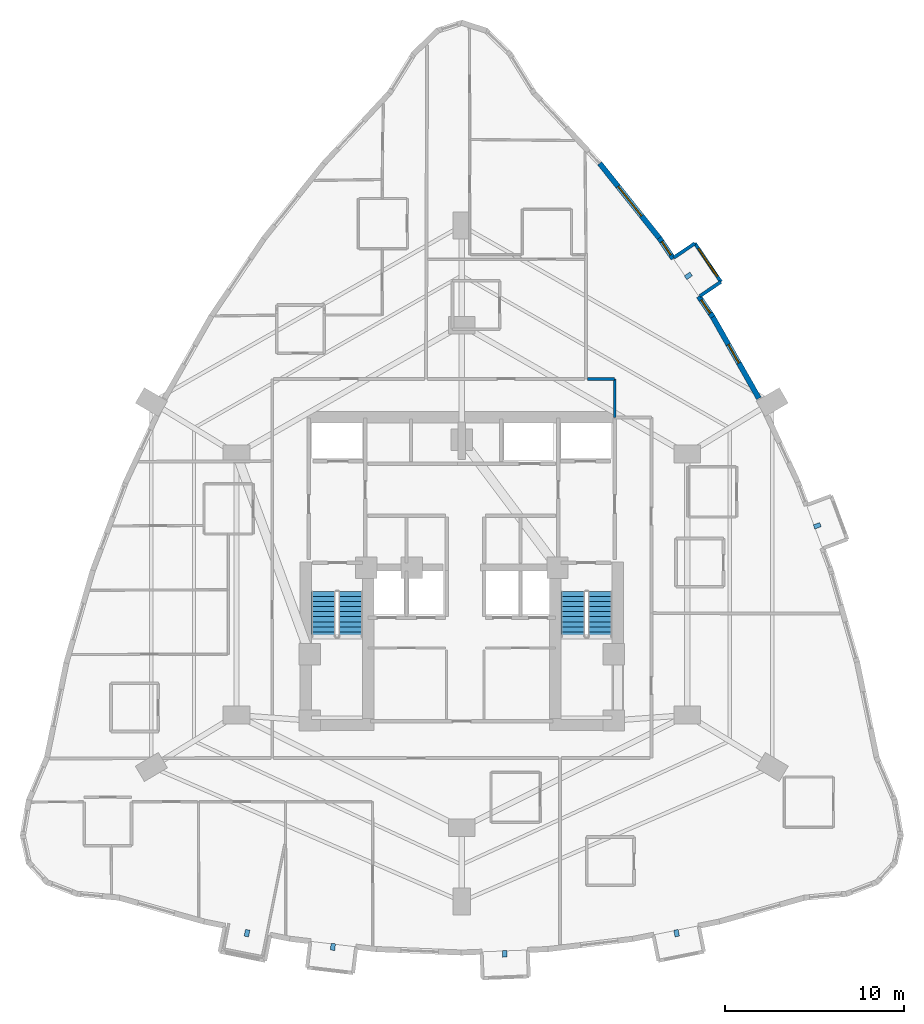
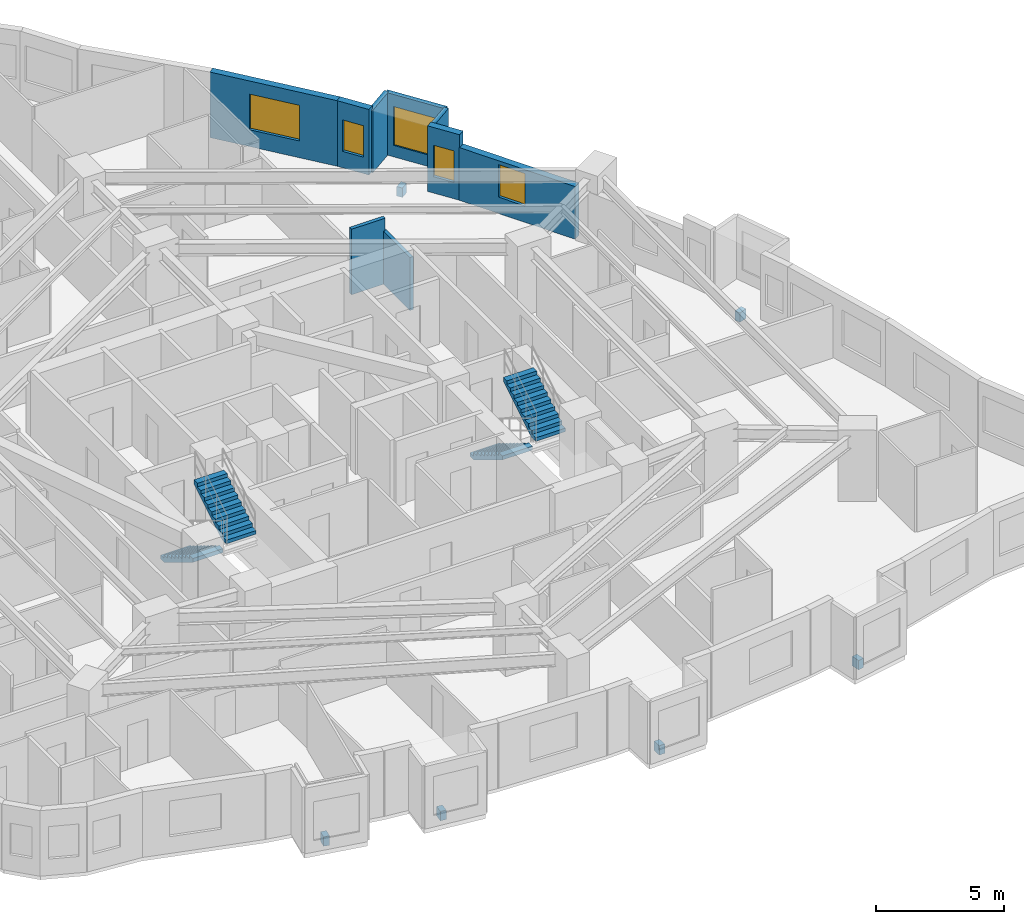
# One storey, part 11 of 12: 9 walls, 6 discrete accessories, 5 windows, 4 stair flights, 5 openings, 2 elements without a shape of their own.
"""IFC4 building model written with IfcOpenShell, lengths in metres."""

from ifc_helpers import new_model, si_unit, direction, frame, frame_2d, origin, origin_2d, place, context, subcontext, project, spatial, polyline, rectangle, outline, extrude, material, layer, layer_set, type_object, element, fill, aggregate, save


model = new_model("IFC4")

# Units and contexts
model_context = context("Model", 3, precision=1e-05, world=origin(), true_north=direction((0.0, 1.0)))
body_context = subcontext(model_context, "Body", "Model", "MODEL_VIEW")
ifc_project = project(units=[si_unit("LENGTHUNIT", "METRE"), si_unit("AREAUNIT", "SQUARE_METRE"), si_unit("VOLUMEUNIT", "CUBIC_METRE"), si_unit("PLANEANGLEUNIT", "RADIAN"), si_unit("MASSUNIT", "GRAM", prefix="KILO")], contexts=[model_context])

# Site, building, storey
site_placement = place(None, origin())
site = spatial("IfcSite", under=ifc_project, at=site_placement, CompositionType="ELEMENT")
building_placement = place(site_placement, origin())
building = spatial("IfcBuilding", under=site, at=building_placement, Name="Miruveldt Soraemaru", CompositionType="ELEMENT")
storey_placement = place(building_placement, frame((0.0, 0.0, 56.39990234375)))
storey = spatial("IfcBuildingStorey", under=building, at=storey_placement, Name="L15", CompositionType="ELEMENT", Elevation=56.39990234375)

# Walls
ifc_material_1 = material(Name="White powder-coated aluminium EN AW-6060 T6", Category="aluminium")
ifc_layer_1 = layer(ifc_material_1, 0.18994140625, Name="White powder-coated aluminium EN AW-6060 T6", Category="aluminium")
ifc_layer_set_1 = layer_set([ifc_layer_1], Name="White powder-coated aluminium EN AW-6060 T6")
wall_type_1 = type_object("IfcWallType", Name="WALL-BAY-ALU190", PredefinedType="SOLIDWALL", material=ifc_layer_set_1)
wall_1_placement = place(storey_placement, frame((57.309814453125, 59.225341796875, 0.0), z_axis=(0.0, 0.0, 1.0), x_axis=(0.82794178844, 0.560814046681, 0.0)))
element("IfcWall", 1, at=wall_1_placement, inside=storey, type_object=wall_type_1, Name="L15 Bay Window Side Cheek 5L", PredefinedType="SOLIDWALL", context=body_context, shape_type="SweptSolid", body=[
    extrude(rectangle(XDim=1.4248046875, YDim=0.18994140625, at=frame_2d((0.71240234375, 0.0))), origin(), (0.0, 0.0, 1.0), 2.97509765625),
])
wall_2_placement = place(storey_placement, frame((57.03125, 62.17724609375, 0.0), z_axis=(0.0, 0.0, 1.0), x_axis=(-0.827862228344, -0.560931485016, 0.0)))
element("IfcWall", 2, at=wall_2_placement, inside=storey, type_object=wall_type_1, Name="L15 Bay Window Side Cheek 5R", PredefinedType="SOLIDWALL", context=body_context, shape_type="SweptSolid", body=[
    extrude(rectangle(XDim=1.425048828125, YDim=0.18994140625, at=frame_2d((0.71240234375, 0.0))), origin(), (0.0, 0.0, 1.0), 2.97509765625),
])

# Wall, opening, window
wall_3_placement = place(storey_placement, frame((58.489501953125, 60.0244140625, 0.0), z_axis=(0.0, 0.0, 1.0), x_axis=(-0.560817003698, 0.827939785469, 0.0)))
wall_3 = element("IfcWall", 3, at=wall_3_placement, inside=storey, type_object=wall_type_1, Name="L15 Bay Window Front Frame 5", PredefinedType="SOLIDWALL", context=body_context, shape_type="SweptSolid", body=[
    extrude(rectangle(XDim=2.600341796875, YDim=0.18994140625, at=frame_2d((1.30029296875, 0.0))), origin(), (0.0, 0.0, 1.0), 2.97509765625),
])
opening_1_placement = place(wall_3_placement, frame((0.35009765625, 0.0, 0.550048828125)))
opening_1 = element("IfcOpeningElement", 4, at=opening_1_placement, cuts=wall_3, Name="Opening WN-6", PredefinedType="OPENING", context=body_context, shape_type="SweptSolid", body=[
    extrude(rectangle(XDim=1.89990234375, YDim=1.85009765625, at=frame_2d((0.949951171875, 0.925048828125))), frame((0.0, 0.10498046875, 0.0), z_axis=(0.0, -1.0, 0.0), x_axis=(1.0, 0.0, 0.0)), (0.0, 0.0, 1.0), 0.2099609375),
])
ifc_material_2 = material(Name="Triple low-e insulated glazing", Category="glass")
window_type_1 = type_object("IfcWindowType", Name="WIN-BAYW-1900x1850", PartitioningType="SINGLE_PANEL", PredefinedType="WINDOW", material=ifc_material_2)
window_1_placement = place(opening_1_placement, origin())
window_1 = element("IfcWindow", 5, at=window_1_placement, inside=storey, type_object=window_type_1, Name="L15 Projecting Bay Window 5", OverallHeight=1.85009765625, OverallWidth=1.89990234375, PartitioningType="SINGLE_PANEL", PredefinedType="WINDOW", context=body_context, shape_type="SweptSolid", body=[
    extrude(rectangle(XDim=1.89990234375, YDim=1.85009765625, at=frame_2d((0.949951171875, 0.925048828125))), frame((0.0, 0.030029296875, 0.0), z_axis=(0.0, -1.0, 0.0), x_axis=(1.0, 0.0, 0.0)), (0.0, 0.0, 1.0), 0.06005859375),
])
fill(opening_1, window_1)

ifc_material_3 = material(Name="Precast concrete C45/55 (45 MPa)", Category="concrete")
ifc_layer_2 = layer(ifc_material_3, 0.300048828125, Name="Precast concrete C45/55 (45 MPa)", Category="concrete")
ifc_layer_set_2 = layer_set([ifc_layer_2], Name="Precast concrete C45/55 (45 MPa)")
wall_type_2 = type_object("IfcWallType", Name="WALL-EXT-PC300", PredefinedType="SOLIDWALL", material=ifc_layer_set_2)
wall_4_placement = place(storey_placement, frame((60.610595703125, 53.50927734375, 0.0), z_axis=(0.0, 0.0, 1.0), x_axis=(-0.493399379413, 0.869802881344, 0.0)))
wall_4 = element("IfcWall", 6, at=wall_4_placement, inside=storey, type_object=wall_type_2, Name="L15 Precast Concrete Facade Wall 39", PredefinedType="SOLIDWALL", context=body_context, shape_type="SweptSolid", body=[
    extrude(rectangle(XDim=5.302490234375, YDim=0.300048828125, at=frame_2d((2.6513671875, 0.0))), origin(), (0.0, 0.0, 1.0), 2.51318359375),
])
opening_2_placement = place(wall_4_placement, frame((2.260986328125, 0.0, 0.780029296875)))
opening_2 = element("IfcOpeningElement", 7, at=opening_2_placement, cuts=wall_4, Name="Opening WN-4", PredefinedType="OPENING", context=body_context, shape_type="SweptSolid", body=[
    extrude(rectangle(XDim=1.199951171875, YDim=1.550048828125, at=frame_2d((0.60009765625, 0.77490234375))), frame((0.0, 0.16015625, 0.0), z_axis=(0.0, -1.0, 0.0), x_axis=(1.0, 0.0, 0.0)), (0.0, 0.0, 1.0), 0.320068359375),
])
window_type_2 = type_object("IfcWindowType", Name="WIN-PUNCH-1200x1550", PartitioningType="SINGLE_PANEL", PredefinedType="WINDOW", material=ifc_material_2)
window_2_placement = place(opening_2_placement, origin())
window_2 = element("IfcWindow", 8, at=window_2_placement, inside=storey, type_object=window_type_2, Name="L15 Punched Triple-Glazed Window 39.1", OverallHeight=1.550048828125, OverallWidth=1.199951171875, PartitioningType="SINGLE_PANEL", PredefinedType="WINDOW", context=body_context, shape_type="SweptSolid", body=[
    extrude(rectangle(XDim=1.199951171875, YDim=1.550048828125, at=frame_2d((0.60009765625, 0.77490234375))), frame((0.0, 0.030029296875, 0.0), z_axis=(0.0, -1.0, 0.0), x_axis=(1.0, 0.0, 0.0)), (0.0, 0.0, 1.0), 0.06005859375),
])
fill(opening_2, window_2)

wall_5_placement = place(storey_placement, frame((58.03125, 58.06201171875, 0.0), z_axis=(0.0, 0.0, 1.0), x_axis=(-0.560852007247, 0.827916074229, 0.0)))
wall_5 = element("IfcWall", 9, at=wall_5_placement, inside=storey, type_object=wall_type_2, Name="L15 Precast Pier Wall 40A", PredefinedType="SOLIDWALL", context=body_context, shape_type="SweptSolid", body=[
    extrude(rectangle(XDim=1.397705078125, YDim=0.300048828125, at=frame_2d((0.69873046875, 0.0))), origin(), (0.0, 0.0, 1.0), 3.125),
])
opening_3_placement = place(wall_5_placement, frame((0.2490234375, 0.0, 0.780029296875)))
opening_3 = element("IfcOpeningElement", 10, at=opening_3_placement, cuts=wall_5, Name="Opening WN-7", PredefinedType="OPENING", context=body_context, shape_type="SweptSolid", body=[
    extrude(rectangle(XDim=0.89990234375, YDim=1.5, at=frame_2d((0.449951171875, 0.75))), frame((0.0, 0.16015625, 0.0), z_axis=(0.0, -1.0, 0.0), x_axis=(1.0, 0.0, 0.0)), (0.0, 0.0, 1.0), 0.320068359375),
])
window_type_3 = type_object("IfcWindowType", Name="WIN-PUNCH-900x1500", PartitioningType="SINGLE_PANEL", PredefinedType="WINDOW", material=ifc_material_2)
window_3_placement = place(opening_3_placement, origin())
window_3 = element("IfcWindow", 11, at=window_3_placement, inside=storey, type_object=window_type_3, Name="L15 Punched Triple-Glazed Window 40A.1", OverallHeight=1.5, OverallWidth=0.89990234375, PartitioningType="SINGLE_PANEL", PredefinedType="WINDOW", context=body_context, shape_type="SweptSolid", body=[
    extrude(rectangle(XDim=0.89990234375, YDim=1.5, at=frame_2d((0.449951171875, 0.75))), frame((0.0, 0.030029296875, 0.0), z_axis=(0.0, -1.0, 0.0), x_axis=(1.0, 0.0, 0.0)), (0.0, 0.0, 1.0), 0.06005859375),
])
fill(opening_3, window_3)

wall_6_placement = place(storey_placement, frame((55.82275390625, 61.322509765625, 0.0), z_axis=(0.0, 0.0, 1.0), x_axis=(-0.560852007247, 0.827916074229, 0.0)))
wall_6 = element("IfcWall", 12, at=wall_6_placement, inside=storey, type_object=wall_type_2, Name="L15 Precast Pier Wall 40B", PredefinedType="SOLIDWALL", context=body_context, shape_type="SweptSolid", body=[
    extrude(rectangle(XDim=1.397705078125, YDim=0.300048828125, at=frame_2d((0.69873046875, 0.0))), origin(), (0.0, 0.0, 1.0), 3.125),
])
opening_4_placement = place(wall_6_placement, frame((0.2490234375, 0.0, 0.780029296875)))
opening_4 = element("IfcOpeningElement", 13, at=opening_4_placement, cuts=wall_6, Name="Opening WN-7", PredefinedType="OPENING", context=body_context, shape_type="SweptSolid", body=[
    extrude(rectangle(XDim=0.89990234375, YDim=1.5, at=frame_2d((0.449951171875, 0.75))), frame((0.0, 0.16015625, 0.0), z_axis=(0.0, -1.0, 0.0), x_axis=(1.0, 0.0, 0.0)), (0.0, 0.0, 1.0), 0.320068359375),
])
window_4_placement = place(opening_4_placement, origin())
window_4 = element("IfcWindow", 14, at=window_4_placement, inside=storey, type_object=window_type_3, Name="L15 Punched Triple-Glazed Window 40B.1", OverallHeight=1.5, OverallWidth=0.89990234375, PartitioningType="SINGLE_PANEL", PredefinedType="WINDOW", context=body_context, shape_type="SweptSolid", body=[
    extrude(rectangle(XDim=0.89990234375, YDim=1.5, at=frame_2d((0.449951171875, 0.75))), frame((0.0, 0.030029296875, 0.0), z_axis=(0.0, -1.0, 0.0), x_axis=(1.0, 0.0, 0.0)), (0.0, 0.0, 1.0), 0.06005859375),
])
fill(opening_4, window_4)

wall_7_placement = place(storey_placement, frame((55.080322265625, 62.42333984375, 0.0), z_axis=(0.0, 0.0, 1.0), x_axis=(-0.623603139171, 0.781741085537, 0.0)))
wall_7 = element("IfcWall", 15, at=wall_7_placement, inside=storey, type_object=wall_type_2, Name="L15 Precast Concrete Facade Wall 41", PredefinedType="SOLIDWALL", context=body_context, shape_type="SweptSolid", body=[
    extrude(rectangle(XDim=5.40185546875, YDim=0.300048828125, at=frame_2d((2.700927734375, 0.0))), origin(), (0.0, 0.0, 1.0), 3.125),
])
opening_5_placement = place(wall_7_placement, frame((1.65087890625, 0.0, 0.800048828125)))
opening_5 = element("IfcOpeningElement", 16, at=opening_5_placement, cuts=wall_7, Name="Opening WN-1", PredefinedType="OPENING", context=body_context, shape_type="SweptSolid", body=[
    extrude(rectangle(XDim=2.10009765625, YDim=1.699951171875, at=frame_2d((1.050048828125, 0.85009765625))), frame((0.0, 0.16015625, 0.0), z_axis=(0.0, -1.0, 0.0), x_axis=(1.0, 0.0, 0.0)), (0.0, 0.0, 1.0), 0.320068359375),
])
window_type_4 = type_object("IfcWindowType", Name="WIN-PUNCH-2100x1700", PartitioningType="SINGLE_PANEL", PredefinedType="WINDOW", material=ifc_material_2)
window_5_placement = place(opening_5_placement, origin())
window_5 = element("IfcWindow", 17, at=window_5_placement, inside=storey, type_object=window_type_4, Name="L15 Punched Triple-Glazed Window 41.1", OverallHeight=1.699951171875, OverallWidth=2.10009765625, PartitioningType="SINGLE_PANEL", PredefinedType="WINDOW", context=body_context, shape_type="SweptSolid", body=[
    extrude(rectangle(XDim=2.10009765625, YDim=1.699951171875, at=frame_2d((1.050048828125, 0.85009765625))), frame((0.0, 0.030029296875, 0.0), z_axis=(0.0, -1.0, 0.0), x_axis=(1.0, 0.0, 0.0)), (0.0, 0.0, 1.0), 0.06005859375),
])
fill(opening_5, window_5)

# Walls
ifc_material_4 = material(Name="Concrete C40/50 (40 MPa)", Category="concrete")
ifc_layer_3 = layer(ifc_material_4, 0.159912109375, Name="Concrete C40/50 (40 MPa)", Category="concrete")
ifc_layer_set_3 = layer_set([ifc_layer_3], Name="Concrete C40/50 (40 MPa)")
wall_type_3 = type_object("IfcWallType", Name="WALL-INT-RC160", PredefinedType="SOLIDWALL", material=ifc_layer_set_3)
wall_8_placement = place(storey_placement, frame((52.550048828125, 52.449951171875, 0.0), z_axis=(0.0, 0.0, 1.0), x_axis=(0.0, 1.0, 0.0)))
element("IfcWall", 18, at=wall_8_placement, inside=storey, type_object=wall_type_3, Name="L15 Partition Wall 7", PredefinedType="SOLIDWALL", context=body_context, shape_type="SweptSolid", body=[
    extrude(rectangle(XDim=2.150146484375, YDim=0.159912109375, at=frame_2d((1.0751953125, 0.0))), origin(), (0.0, 0.0, 1.0), 2.525146484375),
])
wall_9_placement = place(storey_placement, frame((52.550048828125, 54.60009765625, 0.0), z_axis=(0.0, 0.0, 1.0), x_axis=(-1.0, 0.0, 0.0)))
element("IfcWall", 19, at=wall_9_placement, inside=storey, type_object=wall_type_3, Name="L15 Partition Wall 8", PredefinedType="SOLIDWALL", context=body_context, shape_type="SweptSolid", body=[
    extrude(rectangle(XDim=1.51611328125, YDim=0.159912109375, at=frame_2d((0.758056640625, 0.0))), origin(), (0.0, 0.0, 1.0), 3.125),
])

# Stair, stair flights
stair_type = type_object("IfcStairType", Name="STAIR-DL-340", PredefinedType="HALF_TURN_STAIR", material=ifc_material_4)
stair_1_placement = place(storey_placement, origin())
stair_1 = element("IfcStair", 20, at=stair_1_placement, inside=storey, type_object=stair_type, Name="L15 Protected Exit Stair ST-1", PredefinedType="HALF_TURN_STAIR")
stair_flight_type = type_object("IfcStairFlightType", Name="SFL-DL-340", PredefinedType="STRAIGHT", material=ifc_material_4)
stair_flight_1_placement = place(storey_placement, frame((36.27490234375, 42.699951171875, 0.0), z_axis=(0.0, 0.0, 1.0), x_axis=(0.0, -1.0, 0.0)))
stair_flight_1 = element("IfcStairFlight", 21, at=stair_flight_1_placement, type_object=stair_flight_type, Name="ST-1 flight 1", NumberOfRisers=10, NumberOfTreads=9, PredefinedType="STRAIGHT", RiserHeight=0.17, TreadLength=0.28, context=body_context, shape_type="SweptSolid", body=[
    extrude(outline(polyline([(0.0, 0.0), (0.0, 0.169921875), (0.280029296875, 0.169921875), (0.280029296875, 0.340087890625), (0.56005859375, 0.340087890625), (0.56005859375, 0.510009765625), (0.840087890625, 0.510009765625), (0.840087890625, 0.679931640625), (1.1201171875, 0.679931640625), (1.1201171875, 0.85009765625), (1.39990234375, 0.85009765625), (1.39990234375, 1.02001953125), (1.679931640625, 1.02001953125), (1.679931640625, 1.18994140625), (1.9599609375, 1.18994140625), (1.9599609375, 1.360107421875), (2.239990234375, 1.360107421875), (2.239990234375, 1.530029296875), (2.52001953125, 1.530029296875), (2.52001953125, 1.699951171875), (2.52001953125, 1.343017578125), (0.30810546875, 0.0), (0.0, 0.0)])), frame((0.0, 0.675048828125, 0.0), z_axis=(0.0, -1.0, 0.0), x_axis=(1.0, 0.0, 0.0)), (0.0, 0.0, 1.0), 1.35009765625),
])
stair_flight_2_placement = place(storey_placement, frame((37.77490234375, 40.179931640625, 1.7001953125), z_axis=(0.0, 0.0, 1.0), x_axis=(0.0, 1.0, 0.0)))
stair_flight_2 = element("IfcStairFlight", 22, at=stair_flight_2_placement, type_object=stair_flight_type, Name="ST-1 flight 2", NumberOfRisers=10, NumberOfTreads=9, PredefinedType="STRAIGHT", RiserHeight=0.17, TreadLength=0.28, context=body_context, shape_type="SweptSolid", body=[
    extrude(outline(polyline([(0.0, 0.0), (0.0, 0.169921875), (0.280029296875, 0.169921875), (0.280029296875, 0.340087890625), (0.56005859375, 0.340087890625), (0.56005859375, 0.510009765625), (0.840087890625, 0.510009765625), (0.840087890625, 0.679931640625), (1.1201171875, 0.679931640625), (1.1201171875, 0.85009765625), (1.39990234375, 0.85009765625), (1.39990234375, 1.02001953125), (1.679931640625, 1.02001953125), (1.679931640625, 1.18994140625), (1.9599609375, 1.18994140625), (1.9599609375, 1.360107421875), (2.239990234375, 1.360107421875), (2.239990234375, 1.530029296875), (2.52001953125, 1.530029296875), (2.52001953125, 1.699951171875), (2.52001953125, 1.343017578125), (0.30810546875, 0.0), (0.0, 0.0)])), frame((0.0, 0.675048828125, 0.0), z_axis=(0.0, -1.0, 0.0), x_axis=(1.0, 0.0, 0.0)), (0.0, 0.0, 1.0), 1.35009765625),
])
aggregate(stair_1, [stair_flight_1, stair_flight_2])

stair_2_placement = place(storey_placement, origin())
stair_2 = element("IfcStair", 23, at=stair_2_placement, inside=storey, type_object=stair_type, Name="L15 Protected Exit Stair ST-2", PredefinedType="HALF_TURN_STAIR")
stair_flight_3_placement = place(storey_placement, frame((50.22509765625, 42.699951171875, 0.0), z_axis=(0.0, 0.0, 1.0), x_axis=(0.0, -1.0, 0.0)))
stair_flight_3 = element("IfcStairFlight", 24, at=stair_flight_3_placement, type_object=stair_flight_type, Name="ST-2 flight 1", NumberOfRisers=10, NumberOfTreads=9, PredefinedType="STRAIGHT", RiserHeight=0.17, TreadLength=0.28, context=body_context, shape_type="SweptSolid", body=[
    extrude(outline(polyline([(0.0, 0.0), (0.0, 0.169921875), (0.280029296875, 0.169921875), (0.280029296875, 0.340087890625), (0.56005859375, 0.340087890625), (0.56005859375, 0.510009765625), (0.840087890625, 0.510009765625), (0.840087890625, 0.679931640625), (1.1201171875, 0.679931640625), (1.1201171875, 0.85009765625), (1.39990234375, 0.85009765625), (1.39990234375, 1.02001953125), (1.679931640625, 1.02001953125), (1.679931640625, 1.18994140625), (1.9599609375, 1.18994140625), (1.9599609375, 1.360107421875), (2.239990234375, 1.360107421875), (2.239990234375, 1.530029296875), (2.52001953125, 1.530029296875), (2.52001953125, 1.699951171875), (2.52001953125, 1.343017578125), (0.30810546875, 0.0), (0.0, 0.0)])), frame((0.0, 0.675048828125, 0.0), z_axis=(0.0, -1.0, 0.0), x_axis=(1.0, 0.0, 0.0)), (0.0, 0.0, 1.0), 1.35009765625),
])
stair_flight_4_placement = place(storey_placement, frame((51.72509765625, 40.179931640625, 1.7001953125), z_axis=(0.0, 0.0, 1.0), x_axis=(0.0, 1.0, 0.0)))
stair_flight_4 = element("IfcStairFlight", 25, at=stair_flight_4_placement, type_object=stair_flight_type, Name="ST-2 flight 2", NumberOfRisers=10, NumberOfTreads=9, PredefinedType="STRAIGHT", RiserHeight=0.17, TreadLength=0.28, context=body_context, shape_type="SweptSolid", body=[
    extrude(outline(polyline([(0.0, 0.0), (0.0, 0.169921875), (0.280029296875, 0.169921875), (0.280029296875, 0.340087890625), (0.56005859375, 0.340087890625), (0.56005859375, 0.510009765625), (0.840087890625, 0.510009765625), (0.840087890625, 0.679931640625), (1.1201171875, 0.679931640625), (1.1201171875, 0.85009765625), (1.39990234375, 0.85009765625), (1.39990234375, 1.02001953125), (1.679931640625, 1.02001953125), (1.679931640625, 1.18994140625), (1.9599609375, 1.18994140625), (1.9599609375, 1.360107421875), (2.239990234375, 1.360107421875), (2.239990234375, 1.530029296875), (2.52001953125, 1.530029296875), (2.52001953125, 1.699951171875), (2.52001953125, 1.343017578125), (0.30810546875, 0.0), (0.0, 0.0)])), frame((0.0, 0.675048828125, 0.0), z_axis=(0.0, -1.0, 0.0), x_axis=(1.0, 0.0, 0.0)), (0.0, 0.0, 1.0), 1.35009765625),
])
aggregate(stair_2, [stair_flight_3, stair_flight_4])

# Discrete accessories
ifc_material_5 = material(Name="Steel SM355 (355 MPa)", Category="steel")
discrete_accessory_type = type_object("IfcDiscreteAccessoryType", Name="ACC-BAY-BRK", PredefinedType="BRACKET", material=ifc_material_5)
for number, where, z_axis, x_axis, name in (
    (26, (36.794189453125, 22.841064453125, -0.7197265625), (0.0, 0.0, 1.0), (-0.119131818163, -0.99287844669, 0.0), "L15 Bay Window Cantilever Bracket 1"),
    (27, (46.402099609375, 22.456787109375, -0.7197265625), (0.0, 0.0, 1.0), (0.03997483895, -0.999200686675, 0.0), "L15 Bay Window Cantilever Bracket 2"),
    (28, (56.00927734375, 23.609619140625, -0.7197265625), (0.0, 0.0, 1.0), (0.196100176415, -0.980583867301, 0.0), "L15 Bay Window Cantilever Bracket 3"),
    (29, (63.871826171875, 46.385009765625, -0.7197265625), (0.0, 0.0, 1.0), (0.93711153314, 0.349030048069, 0.0), "L15 Bay Window Cantilever Bracket 4"),
    (30, (56.66748046875, 60.360595703125, -0.7197265625), (0.0, 0.0, 1.0), (0.827933108356, 0.560826861061, 0.0), "L15 Bay Window Cantilever Bracket 5"),
    (31, (31.99072265625, 23.609619140625, -0.7197265625), (0.0, 0.0, 1.0), (-0.196100176415, -0.980583867301, 0.0), "L15 Bay Window Cantilever Bracket 6"),
):
    element("IfcDiscreteAccessory", number, at=place(storey_placement, frame(where, z_axis=z_axis, x_axis=x_axis)), inside=storey, type_object=discrete_accessory_type, Name=name, PredefinedType="BRACKET", context=body_context, shape_type="SweptSolid", body=[
        extrude(rectangle(XDim=0.3798828125, YDim=0.25, at=origin_2d()), origin(), (0.0, 0.0, 1.0), 0.449951171875),
    ])

save(model, "model.ifc")
